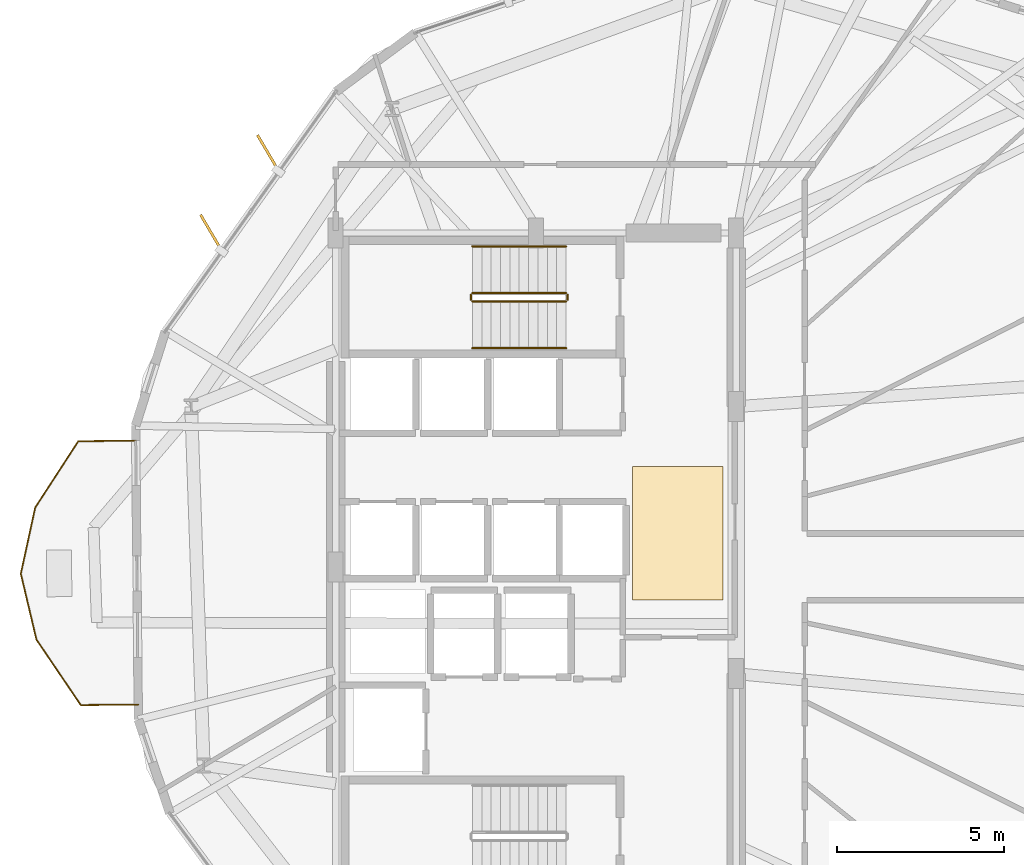
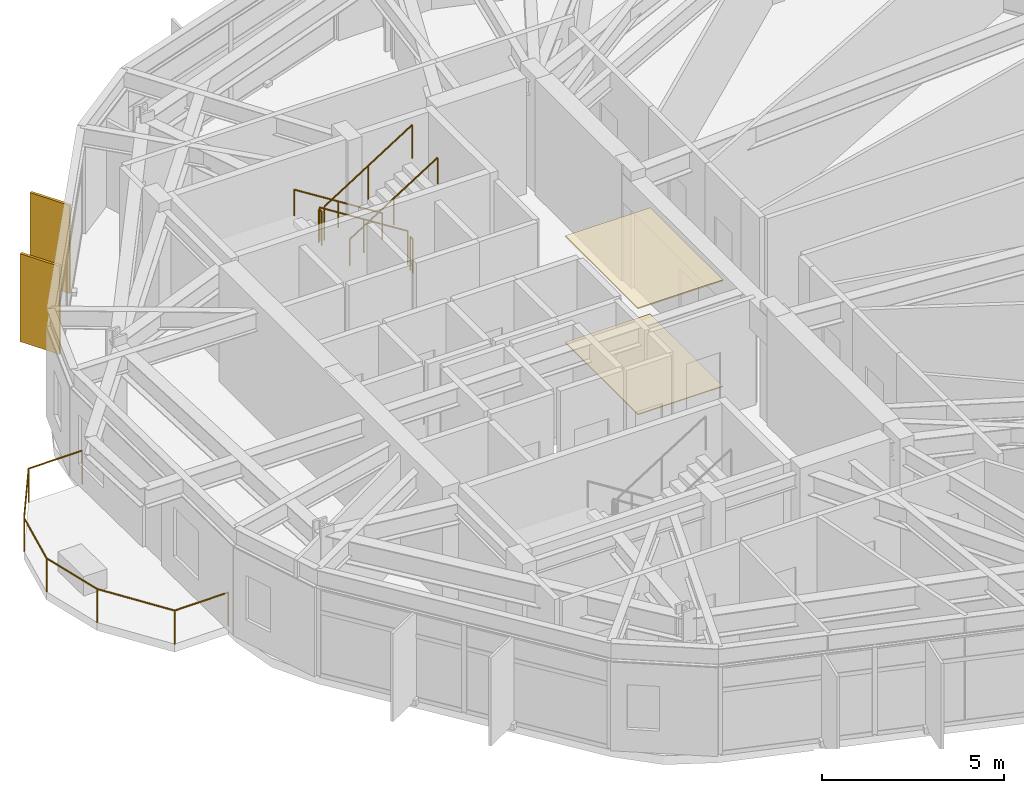
# One storey, part 26 of 27: 7 railings, 2 coverings, 2 shading devices.
"""IFC4 building model written with IfcOpenShell, lengths in metres."""

from ifc_helpers import new_model, si_unit, direction, frame, origin, origin_2d, place, context, subcontext, project, spatial, polyline, rectangle, circle, outline, extrude, material, layer, layer_set, type_object, element, save


model = new_model("IFC4")

# Units and contexts
model_context = context("Model", 3, precision=1e-05, world=origin(), true_north=direction((0.0, 1.0)))
body_context = subcontext(model_context, "Body", "Model", "MODEL_VIEW")
ifc_project = project(units=[si_unit("LENGTHUNIT", "METRE"), si_unit("AREAUNIT", "SQUARE_METRE"), si_unit("VOLUMEUNIT", "CUBIC_METRE"), si_unit("PLANEANGLEUNIT", "RADIAN"), si_unit("MASSUNIT", "GRAM", prefix="KILO")], contexts=[model_context])

# Site, building, storey
site_placement = place(None, origin())
site = spatial("IfcSite", under=ifc_project, at=site_placement, CompositionType="ELEMENT")
building_placement = place(site_placement, origin())
building = spatial("IfcBuilding", under=site, at=building_placement, Name="Soratama Intermodal Tower", CompositionType="ELEMENT")
storey_placement = place(building_placement, frame((0.0, 0.0, 103.0)))
storey = spatial("IfcBuildingStorey", under=building, at=storey_placement, Name="L24", CompositionType="ELEMENT", Elevation=103.0)

# Coverings
ifc_material_1 = material(Name="Perforated mineral acoustic ceiling", Category="concrete")
ifc_layer_1 = layer(ifc_material_1, 0.0400390625)
ifc_layer_set_1 = layer_set([ifc_layer_1], Name="Perforated mineral acoustic ceiling")
covering_type_1 = type_object("IfcCoveringType", Name="CV-CEIL-ACOUSTIC", PredefinedType="CEILING", material=ifc_layer_set_1)
covering_1_placement = place(storey_placement, frame((0.0, 0.0, 3.56005859375)))
element("IfcCovering", 1, at=covering_1_placement, inside=storey, type_object=covering_type_1, Name="L24 Acoustic Ceiling", PredefinedType="CEILING", context=body_context, shape_type="SweptSolid", body=[
    extrude(outline(polyline([(41.5, 24.0), (44.199951171875, 24.0), (44.199951171875, 28.0), (41.5, 28.0), (41.5, 24.0)])), origin(), (0.0, 0.0, 1.0), 0.0400390625),
])
ifc_material_2 = material(Name="Polished Andean stone terrazzo flooring", Category="masonry")
ifc_layer_2 = layer(ifc_material_2, 0.030029296875)
ifc_layer_set_2 = layer_set([ifc_layer_2], Name="Polished Andean stone terrazzo flooring")
covering_type_2 = type_object("IfcCoveringType", Name="CV-FLOR-TERRAZZO", PredefinedType="FLOORING", material=ifc_layer_set_2)
covering_2_placement = place(storey_placement, origin())
element("IfcCovering", 2, at=covering_2_placement, inside=storey, type_object=covering_type_2, Name="L24 Lobby Terrazzo Flooring", PredefinedType="FLOORING", context=body_context, shape_type="SweptSolid", body=[
    extrude(outline(polyline([(41.5, 24.0), (44.199951171875, 24.0), (44.199951171875, 28.0), (41.5, 28.0), (41.5, 24.0)])), origin(), (0.0, 0.0, 1.0), 0.030029296875),
])

# Railings
ifc_material_3 = material(Name="Laminated glass and stainless steel balustrade", Category="steel")
railing_type_1 = type_object("IfcRailingType", Name="RL-BAL-1150", PredefinedType="BALUSTRADE", material=ifc_material_3)
railing_1_placement = place(storey_placement, frame((26.686279296875, 20.8740234375, 0.0)))
element("IfcRailing", 3, at=railing_1_placement, inside=storey, type_object=railing_type_1, Name="L24 Balcony Balustrade 3", PredefinedType="BALUSTRADE", context=body_context, shape_type="SweptSolid", body=[
    extrude(circle(Radius=0.02392578125, at=origin_2d()), frame((0.0, 0.0, 1.1259765625), z_axis=(-0.999956119932, -0.009367935261, 0.0), x_axis=(0.009367935261, -0.999956119932, 0.0)), (0.0, 0.0, 1.0), 1.719970703125),
    extrude(circle(Radius=0.02392578125, at=origin_2d()), frame((-1.719970703125, -0.01611328125, 1.1259765625), z_axis=(-0.560577271613, 0.828102120846, 0.0), x_axis=(-0.828102120846, -0.560577271613, 0.0)), (0.0, 0.0, 1.0), 2.371826171875),
    extrude(circle(Radius=0.02392578125, at=origin_2d()), frame((-3.049560546875, 1.947998046875, 1.1259765625), z_axis=(-0.230670480174, 0.973031926288, 0.0), x_axis=(-0.973031926288, -0.230670480174, 0.0)), (0.0, 0.0, 1.0), 2.02685546875),
    extrude(circle(Radius=0.02392578125, at=origin_2d()), frame((-3.51708984375, 3.920166015625, 1.1259765625), z_axis=(0.21234963491, 0.977193753845, 0.0), x_axis=(-0.977193753845, 0.21234963491, 0.0)), (0.0, 0.0, 1.0), 2.02685546875),
    extrude(circle(Radius=0.02392578125, at=origin_2d()), frame((-3.086669921875, 5.90087890625, 1.1259765625), z_axis=(0.544731440052, 0.838610552174, 0.0), x_axis=(-0.838610552174, 0.544731440052, 0.0)), (0.0, 0.0, 1.0), 2.371826171875),
    extrude(circle(Radius=0.02392578125, at=origin_2d()), frame((-1.794677734375, 7.889892578125, 1.1259765625), z_axis=(0.999956119932, 0.009367935261, 0.0), x_axis=(-0.009367935261, 0.999956119932, 0.0)), (0.0, 0.0, 1.0), 1.719970703125),
    extrude(circle(Radius=0.02099609375, at=origin_2d()), origin(), (0.0, 0.0, 1.0), 1.101806640625),
    extrude(circle(Radius=0.02099609375, at=origin_2d()), frame((-1.719970703125, -0.01611328125, 0.0)), (0.0, 0.0, 1.0), 1.101806640625),
    extrude(circle(Radius=0.02099609375, at=origin_2d()), frame((-3.049560546875, 1.947998046875, 0.0)), (0.0, 0.0, 1.0), 1.101806640625),
    extrude(circle(Radius=0.02099609375, at=origin_2d()), frame((-3.51708984375, 3.920166015625, 0.0)), (0.0, 0.0, 1.0), 1.101806640625),
    extrude(circle(Radius=0.02099609375, at=origin_2d()), frame((-3.086669921875, 5.90087890625, 0.0)), (0.0, 0.0, 1.0), 1.101806640625),
    extrude(circle(Radius=0.02099609375, at=origin_2d()), frame((-1.794677734375, 7.889892578125, 0.0)), (0.0, 0.0, 1.0), 1.101806640625),
    extrude(circle(Radius=0.02099609375, at=origin_2d()), frame((-0.07470703125, 7.906005859375, 0.0)), (0.0, 0.0, 1.0), 1.101806640625),
])
ifc_material_4 = material(Name="Painted steel stair guardrail", Category="steel")
railing_type_2 = type_object("IfcRailingType", Name="RL-STAIR-GUARD", PredefinedType="GUARDRAIL", material=ifc_material_4)
railing_2_placement = place(storey_placement, frame((39.5, 33.199951171875, 0.17724609375)))
element("IfcRailing", 4, at=railing_2_placement, inside=storey, type_object=railing_type_2, Name="L24 ST-2 stair guard 1", PredefinedType="GUARDRAIL", context=body_context, shape_type="SweptSolid", body=[
    extrude(circle(Radius=0.02392578125, at=origin_2d()), frame((0.0, 0.0, 1.1259765625), z_axis=(-0.844908973607, 0.0, 0.534910110503), x_axis=(0.0, -1.0, 0.0)), (0.0, 0.0, 1.0), 3.31396484375),
    extrude(circle(Radius=0.02099609375, at=origin_2d()), origin(), (0.0, 0.0, 1.0), 1.101806640625),
    extrude(circle(Radius=0.02099609375, at=origin_2d()), frame((-1.39990234375, 0.0, 0.88623046875)), (0.0, 0.0, 1.0), 1.101806640625),
    extrude(circle(Radius=0.02099609375, at=origin_2d()), frame((-2.800048828125, 0.0, 1.772705078125)), (0.0, 0.0, 1.0), 1.101806640625),
])
railing_3_placement = place(storey_placement, frame((36.64990234375, 33.14990234375, 1.949951171875)))
element("IfcRailing", 5, at=railing_3_placement, inside=storey, type_object=railing_type_2, Name="L24 ST-2 stair guard 2", PredefinedType="GUARDRAIL", context=body_context, shape_type="SweptSolid", body=[
    extrude(circle(Radius=0.02392578125, at=origin_2d()), frame((0.0, 0.0, 1.1259765625), z_axis=(0.0, -1.0, 0.0), x_axis=(1.0, 0.0, 0.0)), (0.0, 0.0, 1.0), 0.14990234375),
    extrude(circle(Radius=0.02099609375, at=origin_2d()), origin(), (0.0, 0.0, 1.0), 1.101806640625),
    extrude(circle(Radius=0.02099609375, at=origin_2d()), frame((0.0, -0.14990234375, 0.0)), (0.0, 0.0, 1.0), 1.101806640625),
])
railing_4_placement = place(storey_placement, frame((36.699951171875, 32.949951171875, 2.127197265625)))
element("IfcRailing", 6, at=railing_4_placement, inside=storey, type_object=railing_type_2, Name="L24 ST-2 stair guard 3", PredefinedType="GUARDRAIL", context=body_context, shape_type="SweptSolid", body=[
    extrude(circle(Radius=0.02392578125, at=origin_2d()), frame((0.0, 0.0, 1.1259765625), z_axis=(0.844908973607, 0.0, 0.534910110503), x_axis=(0.0, 1.0, 0.0)), (0.0, 0.0, 1.0), 3.31396484375),
    extrude(circle(Radius=0.02099609375, at=origin_2d()), origin(), (0.0, 0.0, 1.0), 1.101806640625),
    extrude(circle(Radius=0.02099609375, at=origin_2d()), frame((1.39990234375, 0.0, 0.88623046875)), (0.0, 0.0, 1.0), 1.101806640625),
    extrude(circle(Radius=0.02099609375, at=origin_2d()), frame((2.800048828125, 0.0, 1.772705078125)), (0.0, 0.0, 1.0), 1.101806640625),
])
railing_5_placement = place(storey_placement, frame((39.550048828125, 33.14990234375, 0.0)))
element("IfcRailing", 7, at=railing_5_placement, inside=storey, type_object=railing_type_2, Name="L24 ST-2 stair guard 4", PredefinedType="GUARDRAIL", context=body_context, shape_type="SweptSolid", body=[
    extrude(circle(Radius=0.02392578125, at=origin_2d()), frame((0.0, 0.0, 1.1259765625), z_axis=(0.0, -1.0, 0.0), x_axis=(1.0, 0.0, 0.0)), (0.0, 0.0, 1.0), 0.14990234375),
    extrude(circle(Radius=0.02099609375, at=origin_2d()), origin(), (0.0, 0.0, 1.0), 1.101806640625),
    extrude(circle(Radius=0.02099609375, at=origin_2d()), frame((0.0, -0.14990234375, 0.0)), (0.0, 0.0, 1.0), 1.101806640625),
])
ifc_material_5 = material(Name="Brushed stainless steel handrail", Category="steel")
railing_type_3 = type_object("IfcRailingType", Name="RL-STAIR-HAND", PredefinedType="HANDRAIL", material=ifc_material_5)
railing_6_placement = place(storey_placement, frame((39.5, 34.60009765625, 0.17724609375)))
element("IfcRailing", 8, at=railing_6_placement, inside=storey, type_object=railing_type_3, Name="L24 ST-2 stair handrail 1", PredefinedType="HANDRAIL", context=body_context, shape_type="SweptSolid", body=[
    extrude(circle(Radius=0.02392578125, at=origin_2d()), frame((0.0, 0.0, 0.8759765625), z_axis=(-0.844908973607, 0.0, 0.534910110503), x_axis=(0.0, -1.0, 0.0)), (0.0, 0.0, 1.0), 3.31396484375),
    extrude(circle(Radius=0.02099609375, at=origin_2d()), origin(), (0.0, 0.0, 1.0), 0.851806640625),
    extrude(circle(Radius=0.02099609375, at=origin_2d()), frame((-1.39990234375, 0.0, 0.88623046875)), (0.0, 0.0, 1.0), 0.851806640625),
    extrude(circle(Radius=0.02099609375, at=origin_2d()), frame((-2.800048828125, 0.0, 1.772705078125)), (0.0, 0.0, 1.0), 0.851806640625),
])
railing_7_placement = place(storey_placement, frame((36.699951171875, 31.550048828125, 2.127197265625)))
element("IfcRailing", 9, at=railing_7_placement, inside=storey, type_object=railing_type_3, Name="L24 ST-2 stair handrail 2", PredefinedType="HANDRAIL", context=body_context, shape_type="SweptSolid", body=[
    extrude(circle(Radius=0.02392578125, at=origin_2d()), frame((0.0, 0.0, 0.8759765625), z_axis=(0.844908973607, 0.0, 0.534910110503), x_axis=(0.0, 1.0, 0.0)), (0.0, 0.0, 1.0), 3.31396484375),
    extrude(circle(Radius=0.02099609375, at=origin_2d()), origin(), (0.0, 0.0, 1.0), 0.851806640625),
    extrude(circle(Radius=0.02099609375, at=origin_2d()), frame((1.39990234375, 0.0, 0.88623046875)), (0.0, 0.0, 1.0), 0.851806640625),
    extrude(circle(Radius=0.02099609375, at=origin_2d()), frame((2.800048828125, 0.0, 1.772705078125)), (0.0, 0.0, 1.0), 0.851806640625),
])

# Shading devices
ifc_material_6 = material(Name="Champagne anodised aluminium solar fin", Category="aluminium")
ifc_layer_3 = layer(ifc_material_6, 0.080078125)
ifc_layer_set_3 = layer_set([ifc_layer_3], Name="Champagne anodised aluminium solar fin")
shading_device_type = type_object("IfcShadingDeviceType", Name="SH-FIN-1250", PredefinedType="USERDEFINED", material=ifc_layer_set_3)
for number, where, z_axis, x_axis, name in (
    (10, (30.57568359375, 37.397705078125, 0.02001953125), (0.0, 0.0, 1.0), (-0.508139769859, 0.861274621876, 0.0), "L24 Solar Fin F04-1"),
    (11, (28.872802734375, 35.006591796875, 0.02001953125), (0.0, 0.0, 1.0), (-0.508139769859, 0.861274621876, 0.0), "L24 Solar Fin F04-2"),
):
    element("IfcShadingDevice", number, at=place(storey_placement, frame(where, z_axis=z_axis, x_axis=x_axis)), inside=storey, type_object=shading_device_type, Name=name, ObjectType="FIN", PredefinedType="USERDEFINED", context=body_context, shape_type="SweptSolid", body=[
        extrude(rectangle(XDim=1.25, YDim=0.080078125, at=origin_2d()), origin(), (0.0, 0.0, 1.0), 2.958984375),
    ])

save(model, "model.ifc")
